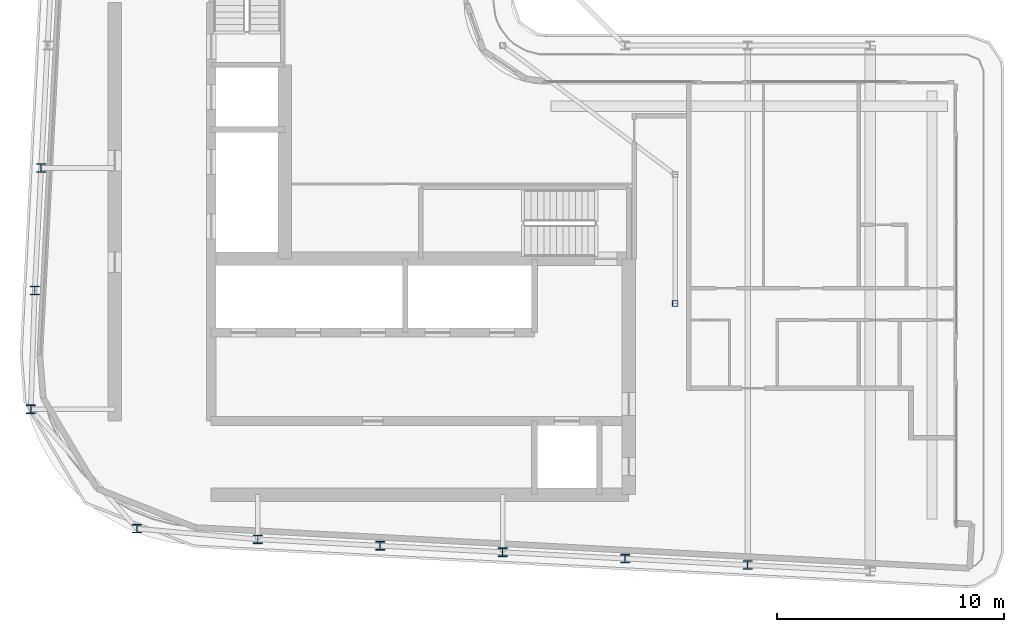
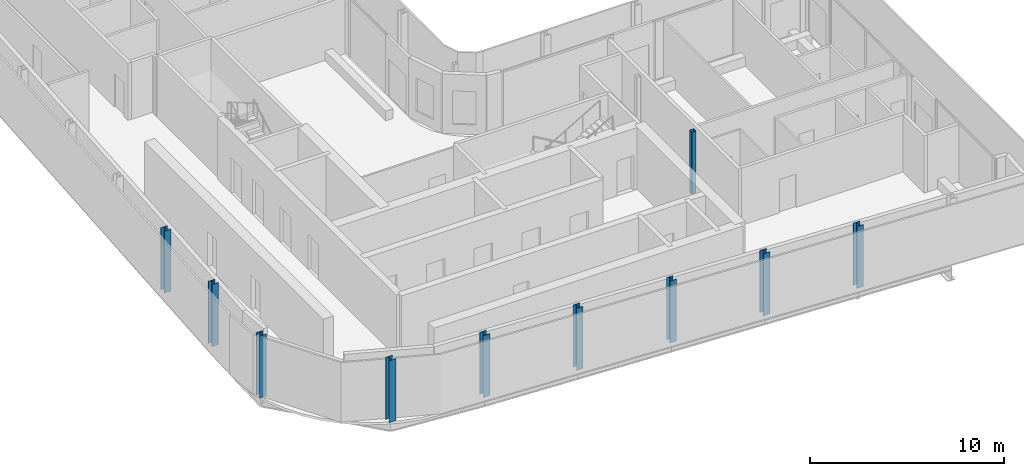
# One storey, part 1 of 21: 10 columns.
"""IFC4 building model written with IfcOpenShell, lengths in metres."""

from ifc_helpers import new_model, si_unit, direction, frame, origin, origin_2d, place, context, subcontext, project, spatial, hollow_rectangle, i_section, extrude, material, material_profile, profile_set, type_object, element, save


model = new_model("IFC4")

# Units and contexts
model_context = context("Model", 3, precision=1e-05, world=origin(), true_north=direction((0.0, 1.0)))
body_context = subcontext(model_context, "Body", "Model", "MODEL_VIEW")
ifc_project = project(units=[si_unit("LENGTHUNIT", "METRE"), si_unit("AREAUNIT", "SQUARE_METRE"), si_unit("VOLUMEUNIT", "CUBIC_METRE"), si_unit("PLANEANGLEUNIT", "RADIAN"), si_unit("MASSUNIT", "GRAM", prefix="KILO")], contexts=[model_context])

# Site, building, storey
site_placement = place(None, origin())
site = spatial("IfcSite", under=ifc_project, at=site_placement, CompositionType="ELEMENT")
building_placement = place(site_placement, origin())
building = spatial("IfcBuilding", under=site, at=building_placement, Name="Kheshtan School and Residences Tower", CompositionType="ELEMENT")
storey_placement = place(building_placement, frame((0.0, 0.0, 298.10009765625)))
storey = spatial("IfcBuildingStorey", under=building, at=storey_placement, Name="L70", CompositionType="ELEMENT", Elevation=298.10009765625)

# Columns
ifc_material_1 = material(Name="Steel ASTM A992 Grade 50", Category="steel")
ifc_material_profile_1 = material_profile(ifc_material_1, i_section(OverallWidth=0.39501953125, OverallDepth=0.3798828125, WebThickness=0.018798828125, FlangeThickness=0.0302734375, FilletRadius=0.011474609375, at=origin_2d()), Name="W360x237")
ifc_profile_set_1 = profile_set([ifc_material_profile_1], Name="Steel ASTM A992 Grade 50")
column_type_1 = type_object("IfcColumnType", Name="Column C5 W360x237 ASTM A992 Grade 50", PredefinedType="COLUMN", material=ifc_profile_set_1)
for number, where, z_axis, x_axis, name in (
    (1, (58.39990234375, 22.695068359375, 0.0), (0.0, 0.0, 1.0), (1.0, 0.0, 0.0), "Column C018"),
    (2, (53.0, 22.97998046875, 0.0), (0.0, 0.0, 1.0), (1.0, 0.0, 0.0), "Column C019"),
    (3, (47.60009765625, 23.263916015625, 0.0), (0.0, 0.0, 1.0), (1.0, 0.0, 0.0), "Column C020"),
    (4, (42.199951171875, 23.548095703125, 0.0), (0.0, 0.0, 1.0), (1.0, 0.0, 0.0), "Column C021"),
    (5, (36.800048828125, 23.83203125, 0.0), (0.0, 0.0, 1.0), (1.0, 0.0, 0.0), "Column C022"),
    (6, (31.47412109375, 24.302001953125, 0.0), (0.0, 0.0, 1.0), (1.0, 0.0, 0.0), "Column C031"),
    (7, (26.797119140625, 29.56591796875, 0.0), (0.0, 0.0, 1.0), (1.0, 0.0, 0.0), "Column C044"),
    (8, (26.968994140625, 34.800048828125, 0.0), (0.0, 0.0, 1.0), (1.0, 0.0, 0.0), "Column C052"),
    (9, (27.2529296875, 40.199951171875, 0.0), (0.0, 0.0, 1.0), (1.0, 0.0, 0.0), "Column C056"),
):
    element("IfcColumn", number, at=place(storey_placement, frame(where, z_axis=z_axis, x_axis=x_axis)), inside=storey, type_object=column_type_1, Name=name, PredefinedType="COLUMN", context=body_context, shape_type="SweptSolid", body=[
        extrude(i_section(OverallWidth=0.39501953125, OverallDepth=0.3798828125, WebThickness=0.018798828125, FlangeThickness=0.0302734375, FilletRadius=0.011474609375, at=origin_2d()), origin(), (0.0, 0.0, 1.0), 3.89990234375),
    ])
ifc_material_2 = material(Name="Steel ASTM A500 Grade C", Category="steel")
ifc_material_profile_2 = material_profile(ifc_material_2, hollow_rectangle(XDim=0.25390625, YDim=0.25390625, WallThickness=0.0126953125, InnerFilletRadius=0.0126953125, OuterFilletRadius=0.025390625, at=origin_2d()), Name="HSS 254x254x12.7")
ifc_profile_set_2 = profile_set([ifc_material_profile_2], Name="Steel ASTM A500 Grade C")
column_type_2 = type_object("IfcColumnType", Name="Column IC3 HSS 254x254x12.7 ASTM A500 Grade C", PredefinedType="COLUMN", material=ifc_profile_set_2)
column_placement = place(storey_placement, frame((55.199951171875, 34.23193359375, 0.0), z_axis=(0.0, 0.0, 1.0), x_axis=(1.0, 0.0, 0.0)))
element("IfcColumn", 10, at=column_placement, inside=storey, type_object=column_type_2, Name="Column C051", PredefinedType="COLUMN", context=body_context, shape_type="SweptSolid", body=[
    extrude(hollow_rectangle(XDim=0.25390625, YDim=0.25390625, WallThickness=0.0126953125, InnerFilletRadius=0.0126953125, OuterFilletRadius=0.025390625, at=origin_2d()), origin(), (0.0, 0.0, 1.0), 3.89990234375),
])

save(model, "model.ifc")
